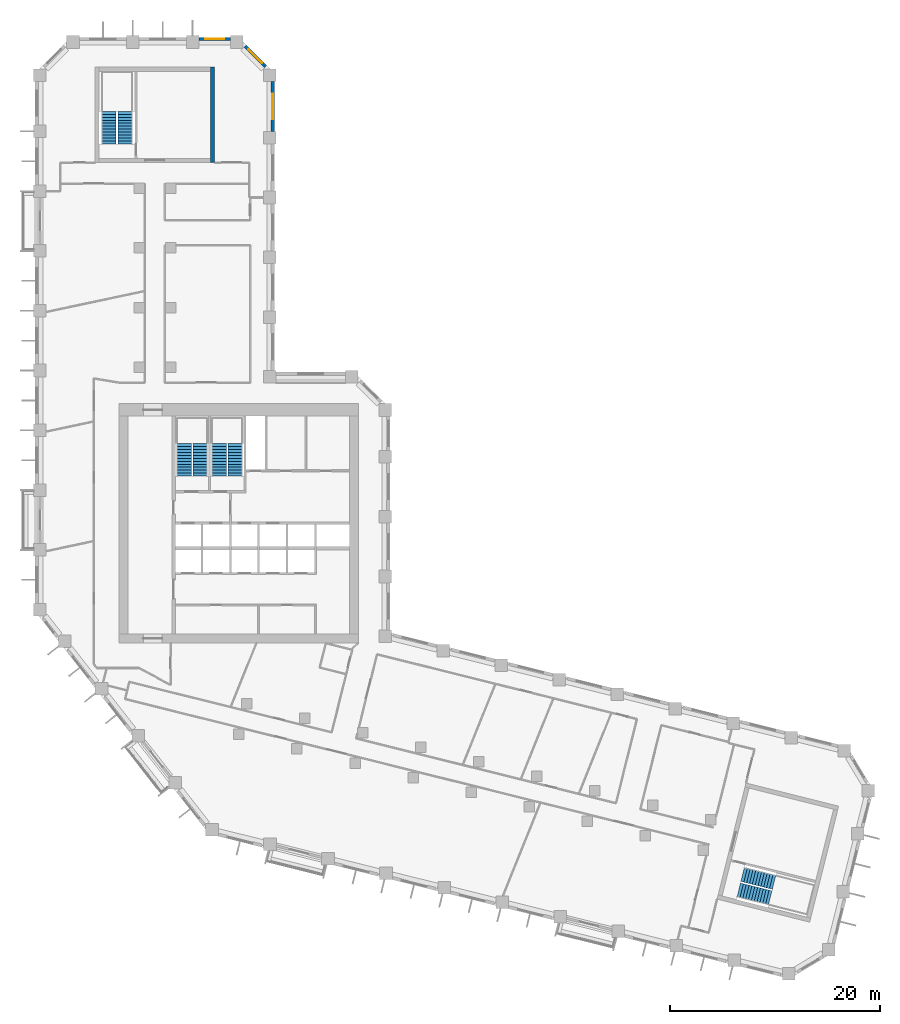
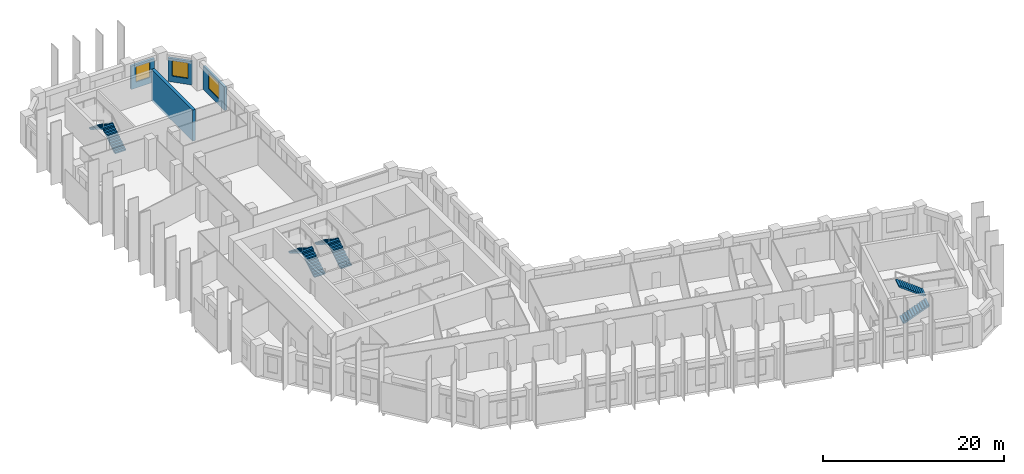
# One storey, part 9 of 10: 8 stair flights, 4 walls, 3 windows, 3 openings, 4 elements without a shape of their own.
"""IFC4 building model written with IfcOpenShell, lengths in metres."""

from ifc_helpers import new_model, si_unit, direction, frame, frame_2d, origin, place, context, subcontext, project, spatial, polyline, rectangle, outline, extrude, material, layer, layer_set, type_object, element, fill, aggregate, save


model = new_model("IFC4")

# Units and contexts
model_context = context("Model", 3, precision=1e-05, world=origin(), true_north=direction((0.0, 1.0)))
body_context = subcontext(model_context, "Body", "Model", "MODEL_VIEW")
ifc_project = project(units=[si_unit("LENGTHUNIT", "METRE"), si_unit("AREAUNIT", "SQUARE_METRE"), si_unit("VOLUMEUNIT", "CUBIC_METRE"), si_unit("PLANEANGLEUNIT", "RADIAN"), si_unit("MASSUNIT", "GRAM", prefix="KILO")], contexts=[model_context])

# Site, building, storey
site_placement = place(None, origin())
site = spatial("IfcSite", under=ifc_project, at=site_placement, CompositionType="ELEMENT")
building_placement = place(site_placement, origin())
building = spatial("IfcBuilding", under=site, at=building_placement, Name="Meshkara Civic Tower", CompositionType="ELEMENT")
storey_placement = place(building_placement, frame((0.0, 0.0, 211.800048828125)))
storey = spatial("IfcBuildingStorey", under=building, at=storey_placement, Name="L48", CompositionType="ELEMENT", Elevation=211.800048828125)

# Wall, opening, window
ifc_material_1 = material(Name="Insulated infill panel with bronze anodised aluminium cladding", Category="aluminium")
ifc_layer_1 = layer(ifc_material_1, 0.300048828125)
ifc_layer_set_1 = layer_set([ifc_layer_1], Name="EXTERNAL INFILL WALL 300")
wall_type_1 = type_object("IfcWallType", Name="EXTERNAL INFILL WALL 300", PredefinedType="SOLIDWALL", material=ifc_layer_set_1)
wall_1_placement = place(storey_placement, frame((22.64990234375, 62.85009765625, 0.0), z_axis=(0.0, 0.0, 1.0), x_axis=(0.0, 1.0, 0.0)))
wall_1 = element("IfcWall", 1, at=wall_1_placement, inside=storey, type_object=wall_type_1, Name="External wall", PredefinedType="SOLIDWALL", context=body_context, shape_type="SweptSolid", body=[
    extrude(rectangle(XDim=4.763916015625, YDim=0.300048828125, at=frame_2d((2.3818359375, 0.0))), origin(), (0.0, 0.0, 1.0), 3.14990234375),
])
opening_1_placement = place(wall_1_placement, frame((1.181884765625, 0.0, 0.800048828125)))
opening_1 = element("IfcOpeningElement", 2, at=opening_1_placement, cuts=wall_1, Name="Opening W7", PredefinedType="OPENING", context=body_context, shape_type="SweptSolid", body=[
    extrude(rectangle(XDim=2.39990234375, YDim=2.10009765625, at=frame_2d((1.199951171875, 1.050048828125))), frame((0.0, 0.159912109375, 0.0), z_axis=(0.0, -1.0, 0.0), x_axis=(1.0, 0.0, 0.0)), (0.0, 0.0, 1.0), 0.320068359375),
])
ifc_material_2 = material(Name="Tinted double glazing", Category="glass")
window_type_1 = type_object("IfcWindowType", Name="WINDOW 2400x2100", PartitioningType="DOUBLE_PANEL_VERTICAL", PredefinedType="WINDOW", material=ifc_material_2)
window_1_placement = place(opening_1_placement, origin())
window_1 = element("IfcWindow", 3, at=window_1_placement, inside=storey, type_object=window_type_1, Name="Window", OverallHeight=2.10009765625, OverallWidth=2.39990234375, PartitioningType="DOUBLE_PANEL_VERTICAL", PredefinedType="WINDOW", context=body_context, shape_type="SweptSolid", body=[
    extrude(rectangle(XDim=2.39990234375, YDim=2.10009765625, at=frame_2d((1.199951171875, 1.050048828125))), frame((0.0, 0.030029296875, 0.0), z_axis=(0.0, -1.0, 0.0), x_axis=(1.0, 0.0, 0.0)), (0.0, 0.0, 1.0), 0.06005859375),
])
fill(opening_1, window_1)

wall_2_placement = place(storey_placement, frame((21.9619140625, 69.02587890625, 0.0), z_axis=(0.0, 0.0, 1.0), x_axis=(-0.707062649074, 0.707150910545, 0.0)))
wall_2 = element("IfcWall", 4, at=wall_2_placement, inside=storey, type_object=wall_type_1, Name="External wall", PredefinedType="SOLIDWALL", context=body_context, shape_type="SweptSolid", body=[
    extrude(rectangle(XDim=2.76611328125, YDim=0.300048828125, at=frame_2d((1.383056640625, 0.0))), origin(), (0.0, 0.0, 1.0), 3.14990234375),
])
opening_2_placement = place(wall_2_placement, frame((0.48291015625, 0.0, 0.800048828125)))
opening_2 = element("IfcOpeningElement", 5, at=opening_2_placement, cuts=wall_2, Name="Opening W9", PredefinedType="OPENING", context=body_context, shape_type="SweptSolid", body=[
    extrude(rectangle(XDim=1.800048828125, YDim=2.10009765625, at=frame_2d((0.89990234375, 1.050048828125))), frame((0.0, 0.159912109375, 0.0), z_axis=(0.0, -1.0, 0.0), x_axis=(1.0, 0.0, 0.0)), (0.0, 0.0, 1.0), 0.320068359375),
])
ifc_material_3 = material(Name="Tinted double glazing", Category="glass")
window_type_2 = type_object("IfcWindowType", Name="WINDOW 1800x2100", PartitioningType="DOUBLE_PANEL_VERTICAL", PredefinedType="WINDOW", material=ifc_material_3)
window_2_placement = place(opening_2_placement, origin())
window_2 = element("IfcWindow", 6, at=window_2_placement, inside=storey, type_object=window_type_2, Name="Window", OverallHeight=2.10009765625, OverallWidth=1.800048828125, PartitioningType="DOUBLE_PANEL_VERTICAL", PredefinedType="WINDOW", context=body_context, shape_type="SweptSolid", body=[
    extrude(rectangle(XDim=1.800048828125, YDim=2.10009765625, at=frame_2d((0.89990234375, 1.050048828125))), frame((0.0, 0.030029296875, 0.0), z_axis=(0.0, -1.0, 0.0), x_axis=(1.0, 0.0, 0.0)), (0.0, 0.0, 1.0), 0.06005859375),
])
fill(opening_2, window_2)

wall_3_placement = place(storey_placement, frame((18.593994140625, 71.669921875, 0.0), z_axis=(0.0, 0.0, 1.0), x_axis=(-1.0, 0.0, 0.0)))
wall_3 = element("IfcWall", 7, at=wall_3_placement, inside=storey, type_object=wall_type_1, Name="External wall", PredefinedType="SOLIDWALL", context=body_context, shape_type="SweptSolid", body=[
    extrude(rectangle(XDim=2.988037109375, YDim=0.300048828125, at=frame_2d((1.494140625, 0.0))), origin(), (0.0, 0.0, 1.0), 3.14990234375),
])
opening_3_placement = place(wall_3_placement, frame((0.593994140625, 0.0, 0.800048828125)))
opening_3 = element("IfcOpeningElement", 8, at=opening_3_placement, cuts=wall_3, Name="Opening W9", PredefinedType="OPENING", context=body_context, shape_type="SweptSolid", body=[
    extrude(rectangle(XDim=1.800048828125, YDim=2.10009765625, at=frame_2d((0.89990234375, 1.050048828125))), frame((0.0, 0.159912109375, 0.0), z_axis=(0.0, -1.0, 0.0), x_axis=(1.0, 0.0, 0.0)), (0.0, 0.0, 1.0), 0.320068359375),
])
window_3_placement = place(opening_3_placement, origin())
window_3 = element("IfcWindow", 9, at=window_3_placement, inside=storey, type_object=window_type_2, Name="Window", OverallHeight=2.10009765625, OverallWidth=1.800048828125, PartitioningType="DOUBLE_PANEL_VERTICAL", PredefinedType="WINDOW", context=body_context, shape_type="SweptSolid", body=[
    extrude(rectangle(XDim=1.800048828125, YDim=2.10009765625, at=frame_2d((0.89990234375, 1.050048828125))), frame((0.0, 0.030029296875, 0.0), z_axis=(0.0, -1.0, 0.0), x_axis=(1.0, 0.0, 0.0)), (0.0, 0.0, 1.0), 0.06005859375),
])
fill(opening_3, window_3)

# Wall
ifc_material_4 = material(Name="Concrete C70", Category="concrete")
ifc_layer_2 = layer(ifc_material_4, 0.39990234375)
ifc_layer_set_2 = layer_set([ifc_layer_2], Name="End core ring wall 400 C70")
wall_type_2 = type_object("IfcWallType", Name="End core ring wall 400 C70", PredefinedType="SHEAR", material=ifc_layer_set_2)
wall_4_placement = place(storey_placement, frame((16.89990234375, 59.8701171875, -0.300048828125), z_axis=(0.0, 0.0, 1.0), x_axis=(0.0, 1.0, 0.0)))
element("IfcWall", 10, at=wall_4_placement, inside=storey, type_object=wall_type_2, Name="L48-C024", PredefinedType="SHEAR", context=body_context, shape_type="SweptSolid", body=[
    extrude(rectangle(XDim=9.099853515625, YDim=0.39990234375, at=frame_2d((4.5498046875, 0.0))), origin(), (0.0, 0.0, 1.0), 4.199951171875),
])

# Stair, stair flights
ifc_material_5 = material(Name="Precast concrete C40/50", Category="concrete")
stair_type = type_object("IfcStairType", Name="Exit stair half-turn 24 risers precast", PredefinedType="HALF_TURN_STAIR", material=ifc_material_5)
stair_1_placement = place(storey_placement, origin())
stair_1 = element("IfcStair", 11, at=stair_1_placement, inside=storey, type_object=stair_type, Name="L48 exit stair 1", PredefinedType="HALF_TURN_STAIR")
ifc_material_6 = material(Name="Precast concrete C40/50", Category="concrete")
stair_flight_type = type_object("IfcStairFlightType", Name="Exit stair flight 12 risers precast", PredefinedType="STRAIGHT", material=ifc_material_6)
stair_flight_1_placement = place(storey_placement, frame((15.72509765625, 30.0, 0.0), z_axis=(0.0, 0.0, 1.0), x_axis=(0.0, 1.0, 0.0)))
stair_flight_1 = element("IfcStairFlight", 12, at=stair_flight_1_placement, type_object=stair_flight_type, Name="ST1 flight 1", NumberOfRisers=12, NumberOfTreads=11, PredefinedType="STRAIGHT", RiserHeight=0.175, TreadLength=0.28, context=body_context, shape_type="SweptSolid", body=[
    extrude(outline(polyline([(0.0, 0.0), (0.0, 0.175048828125), (0.280029296875, 0.175048828125), (0.280029296875, 0.35009765625), (0.56005859375, 0.35009765625), (0.56005859375, 0.52490234375), (0.840087890625, 0.52490234375), (0.840087890625, 0.699951171875), (1.1201171875, 0.699951171875), (1.1201171875, 0.875), (1.39990234375, 0.875), (1.39990234375, 1.050048828125), (1.679931640625, 1.050048828125), (1.679931640625, 1.22509765625), (1.9599609375, 1.22509765625), (1.9599609375, 1.39990234375), (2.239990234375, 1.39990234375), (2.239990234375, 1.574951171875), (2.52001953125, 1.574951171875), (2.52001953125, 1.75), (2.800048828125, 1.75), (2.800048828125, 1.925048828125), (3.080078125, 1.925048828125), (3.080078125, 2.10009765625), (3.080078125, 1.748291015625), (0.28271484375, 0.0), (0.0, 0.0)])), frame((0.0, 0.699951171875, 0.0), z_axis=(0.0, -1.0, 0.0), x_axis=(1.0, 0.0, 0.0)), (0.0, 0.0, 1.0), 1.39990234375),
])
stair_flight_2_placement = place(storey_placement, frame((14.175048828125, 33.080078125, 2.099853515625), z_axis=(0.0, 0.0, 1.0), x_axis=(0.0, -1.0, 0.0)))
stair_flight_2 = element("IfcStairFlight", 13, at=stair_flight_2_placement, type_object=stair_flight_type, Name="ST1 flight 2", NumberOfRisers=12, NumberOfTreads=11, PredefinedType="STRAIGHT", RiserHeight=0.175, TreadLength=0.28, context=body_context, shape_type="SweptSolid", body=[
    extrude(outline(polyline([(0.0, 0.0), (0.0, 0.175048828125), (0.280029296875, 0.175048828125), (0.280029296875, 0.35009765625), (0.56005859375, 0.35009765625), (0.56005859375, 0.52490234375), (0.840087890625, 0.52490234375), (0.840087890625, 0.699951171875), (1.1201171875, 0.699951171875), (1.1201171875, 0.875), (1.39990234375, 0.875), (1.39990234375, 1.050048828125), (1.679931640625, 1.050048828125), (1.679931640625, 1.22509765625), (1.9599609375, 1.22509765625), (1.9599609375, 1.39990234375), (2.239990234375, 1.39990234375), (2.239990234375, 1.574951171875), (2.52001953125, 1.574951171875), (2.52001953125, 1.75), (2.800048828125, 1.75), (2.800048828125, 1.925048828125), (3.080078125, 1.925048828125), (3.080078125, 2.10009765625), (3.080078125, 1.748291015625), (0.28271484375, 0.0), (0.0, 0.0)])), frame((0.0, 0.699951171875, 0.0), z_axis=(0.0, -1.0, 0.0), x_axis=(1.0, 0.0, 0.0)), (0.0, 0.0, 1.0), 1.39990234375),
])
aggregate(stair_1, [stair_flight_1, stair_flight_2])

stair_2_placement = place(storey_placement, origin())
stair_2 = element("IfcStair", 14, at=stair_2_placement, inside=storey, type_object=stair_type, Name="L48 exit stair 2", PredefinedType="HALF_TURN_STAIR")
stair_flight_3_placement = place(storey_placement, frame((19.074951171875, 30.0, 0.0), z_axis=(0.0, 0.0, 1.0), x_axis=(0.0, 1.0, 0.0)))
stair_flight_3 = element("IfcStairFlight", 15, at=stair_flight_3_placement, type_object=stair_flight_type, Name="ST2 flight 1", NumberOfRisers=12, NumberOfTreads=11, PredefinedType="STRAIGHT", RiserHeight=0.175, TreadLength=0.28, context=body_context, shape_type="SweptSolid", body=[
    extrude(outline(polyline([(0.0, 0.0), (0.0, 0.175048828125), (0.280029296875, 0.175048828125), (0.280029296875, 0.35009765625), (0.56005859375, 0.35009765625), (0.56005859375, 0.52490234375), (0.840087890625, 0.52490234375), (0.840087890625, 0.699951171875), (1.1201171875, 0.699951171875), (1.1201171875, 0.875), (1.39990234375, 0.875), (1.39990234375, 1.050048828125), (1.679931640625, 1.050048828125), (1.679931640625, 1.22509765625), (1.9599609375, 1.22509765625), (1.9599609375, 1.39990234375), (2.239990234375, 1.39990234375), (2.239990234375, 1.574951171875), (2.52001953125, 1.574951171875), (2.52001953125, 1.75), (2.800048828125, 1.75), (2.800048828125, 1.925048828125), (3.080078125, 1.925048828125), (3.080078125, 2.10009765625), (3.080078125, 1.748291015625), (0.28271484375, 0.0), (0.0, 0.0)])), frame((0.0, 0.699951171875, 0.0), z_axis=(0.0, -1.0, 0.0), x_axis=(1.0, 0.0, 0.0)), (0.0, 0.0, 1.0), 1.39990234375),
])
stair_flight_4_placement = place(storey_placement, frame((17.52490234375, 33.080078125, 2.099853515625), z_axis=(0.0, 0.0, 1.0), x_axis=(0.0, -1.0, 0.0)))
stair_flight_4 = element("IfcStairFlight", 16, at=stair_flight_4_placement, type_object=stair_flight_type, Name="ST2 flight 2", NumberOfRisers=12, NumberOfTreads=11, PredefinedType="STRAIGHT", RiserHeight=0.175, TreadLength=0.28, context=body_context, shape_type="SweptSolid", body=[
    extrude(outline(polyline([(0.0, 0.0), (0.0, 0.175048828125), (0.280029296875, 0.175048828125), (0.280029296875, 0.35009765625), (0.56005859375, 0.35009765625), (0.56005859375, 0.52490234375), (0.840087890625, 0.52490234375), (0.840087890625, 0.699951171875), (1.1201171875, 0.699951171875), (1.1201171875, 0.875), (1.39990234375, 0.875), (1.39990234375, 1.050048828125), (1.679931640625, 1.050048828125), (1.679931640625, 1.22509765625), (1.9599609375, 1.22509765625), (1.9599609375, 1.39990234375), (2.239990234375, 1.39990234375), (2.239990234375, 1.574951171875), (2.52001953125, 1.574951171875), (2.52001953125, 1.75), (2.800048828125, 1.75), (2.800048828125, 1.925048828125), (3.080078125, 1.925048828125), (3.080078125, 2.10009765625), (3.080078125, 1.748291015625), (0.28271484375, 0.0), (0.0, 0.0)])), frame((0.0, 0.699951171875, 0.0), z_axis=(0.0, -1.0, 0.0), x_axis=(1.0, 0.0, 0.0)), (0.0, 0.0, 1.0), 1.39990234375),
])
aggregate(stair_2, [stair_flight_3, stair_flight_4])

stair_3_placement = place(storey_placement, origin())
stair_3 = element("IfcStair", 17, at=stair_3_placement, inside=storey, type_object=stair_type, Name="L48 exit stair A from L35", PredefinedType="HALF_TURN_STAIR")
stair_flight_5_placement = place(storey_placement, frame((8.574951171875, 61.669921875, 0.0), z_axis=(0.0, 0.0, 1.0), x_axis=(0.0, 1.0, 0.0)))
stair_flight_5 = element("IfcStairFlight", 18, at=stair_flight_5_placement, type_object=stair_flight_type, Name="ESA3 flight 1", NumberOfRisers=12, NumberOfTreads=11, PredefinedType="STRAIGHT", RiserHeight=0.175, TreadLength=0.28, context=body_context, shape_type="SweptSolid", body=[
    extrude(outline(polyline([(0.0, 0.0), (0.0, 0.175048828125), (0.280029296875, 0.175048828125), (0.280029296875, 0.35009765625), (0.56005859375, 0.35009765625), (0.56005859375, 0.52490234375), (0.840087890625, 0.52490234375), (0.840087890625, 0.699951171875), (1.1201171875, 0.699951171875), (1.1201171875, 0.875), (1.39990234375, 0.875), (1.39990234375, 1.050048828125), (1.679931640625, 1.050048828125), (1.679931640625, 1.22509765625), (1.9599609375, 1.22509765625), (1.9599609375, 1.39990234375), (2.239990234375, 1.39990234375), (2.239990234375, 1.574951171875), (2.52001953125, 1.574951171875), (2.52001953125, 1.75), (2.800048828125, 1.75), (2.800048828125, 1.925048828125), (3.080078125, 1.925048828125), (3.080078125, 2.10009765625), (3.080078125, 1.748291015625), (0.28271484375, 0.0), (0.0, 0.0)])), frame((0.0, 0.699951171875, 0.0), z_axis=(0.0, -1.0, 0.0), x_axis=(1.0, 0.0, 0.0)), (0.0, 0.0, 1.0), 1.39990234375),
])
stair_flight_6_placement = place(storey_placement, frame((7.02490234375, 64.75, 2.099853515625), z_axis=(0.0, 0.0, 1.0), x_axis=(0.0, -1.0, 0.0)))
stair_flight_6 = element("IfcStairFlight", 19, at=stair_flight_6_placement, type_object=stair_flight_type, Name="ESA3 flight 2", NumberOfRisers=12, NumberOfTreads=11, PredefinedType="STRAIGHT", RiserHeight=0.175, TreadLength=0.28, context=body_context, shape_type="SweptSolid", body=[
    extrude(outline(polyline([(0.0, 0.0), (0.0, 0.175048828125), (0.280029296875, 0.175048828125), (0.280029296875, 0.35009765625), (0.56005859375, 0.35009765625), (0.56005859375, 0.52490234375), (0.840087890625, 0.52490234375), (0.840087890625, 0.699951171875), (1.1201171875, 0.699951171875), (1.1201171875, 0.875), (1.39990234375, 0.875), (1.39990234375, 1.050048828125), (1.679931640625, 1.050048828125), (1.679931640625, 1.22509765625), (1.9599609375, 1.22509765625), (1.9599609375, 1.39990234375), (2.239990234375, 1.39990234375), (2.239990234375, 1.574951171875), (2.52001953125, 1.574951171875), (2.52001953125, 1.75), (2.800048828125, 1.75), (2.800048828125, 1.925048828125), (3.080078125, 1.925048828125), (3.080078125, 2.10009765625), (3.080078125, 1.748291015625), (0.28271484375, 0.0), (0.0, 0.0)])), frame((0.0, 0.699951171875, 0.0), z_axis=(0.0, -1.0, 0.0), x_axis=(1.0, 0.0, 0.0)), (0.0, 0.0, 1.0), 1.39990234375),
])
aggregate(stair_3, [stair_flight_5, stair_flight_6])

stair_4_placement = place(storey_placement, origin())
stair_4 = element("IfcStair", 20, at=stair_4_placement, inside=storey, type_object=stair_type, Name="L48 exit stair B from L35", PredefinedType="HALF_TURN_STAIR")
stair_flight_7_placement = place(storey_placement, frame((67.068115234375, -9.4814453125, 0.0), z_axis=(0.0, 0.0, 1.0), x_axis=(0.9703185901, -0.241830175344, 0.0)))
stair_flight_7 = element("IfcStairFlight", 21, at=stair_flight_7_placement, type_object=stair_flight_type, Name="ESB3 flight 1", NumberOfRisers=12, NumberOfTreads=11, PredefinedType="STRAIGHT", RiserHeight=0.175, TreadLength=0.28, context=body_context, shape_type="SweptSolid", body=[
    extrude(outline(polyline([(0.0, 0.0), (0.0, 0.175048828125), (0.280029296875, 0.175048828125), (0.280029296875, 0.35009765625), (0.56005859375, 0.35009765625), (0.56005859375, 0.52490234375), (0.840087890625, 0.52490234375), (0.840087890625, 0.699951171875), (1.1201171875, 0.699951171875), (1.1201171875, 0.875), (1.39990234375, 0.875), (1.39990234375, 1.050048828125), (1.679931640625, 1.050048828125), (1.679931640625, 1.22509765625), (1.9599609375, 1.22509765625), (1.9599609375, 1.39990234375), (2.239990234375, 1.39990234375), (2.239990234375, 1.574951171875), (2.52001953125, 1.574951171875), (2.52001953125, 1.75), (2.800048828125, 1.75), (2.800048828125, 1.925048828125), (3.080078125, 1.925048828125), (3.080078125, 2.10009765625), (3.080078125, 1.748291015625), (0.28271484375, 0.0), (0.0, 0.0)])), frame((0.0, 0.699951171875, 0.0), z_axis=(0.0, -1.0, 0.0), x_axis=(1.0, 0.0, 0.0)), (0.0, 0.0, 1.0), 1.39990234375),
])
stair_flight_8_placement = place(storey_placement, frame((70.431396484375, -8.722412109375, 2.099853515625), z_axis=(0.0, 0.0, 1.0), x_axis=(-0.9703185901, 0.241830175344, 0.0)))
stair_flight_8 = element("IfcStairFlight", 22, at=stair_flight_8_placement, type_object=stair_flight_type, Name="ESB3 flight 2", NumberOfRisers=12, NumberOfTreads=11, PredefinedType="STRAIGHT", RiserHeight=0.175, TreadLength=0.28, context=body_context, shape_type="SweptSolid", body=[
    extrude(outline(polyline([(0.0, 0.0), (0.0, 0.175048828125), (0.280029296875, 0.175048828125), (0.280029296875, 0.35009765625), (0.56005859375, 0.35009765625), (0.56005859375, 0.52490234375), (0.840087890625, 0.52490234375), (0.840087890625, 0.699951171875), (1.1201171875, 0.699951171875), (1.1201171875, 0.875), (1.39990234375, 0.875), (1.39990234375, 1.050048828125), (1.679931640625, 1.050048828125), (1.679931640625, 1.22509765625), (1.9599609375, 1.22509765625), (1.9599609375, 1.39990234375), (2.239990234375, 1.39990234375), (2.239990234375, 1.574951171875), (2.52001953125, 1.574951171875), (2.52001953125, 1.75), (2.800048828125, 1.75), (2.800048828125, 1.925048828125), (3.080078125, 1.925048828125), (3.080078125, 2.10009765625), (3.080078125, 1.748291015625), (0.28271484375, 0.0), (0.0, 0.0)])), frame((0.0, 0.699951171875, 0.0), z_axis=(0.0, -1.0, 0.0), x_axis=(1.0, 0.0, 0.0)), (0.0, 0.0, 1.0), 1.39990234375),
])
aggregate(stair_4, [stair_flight_7, stair_flight_8])

save(model, "model.ifc")
